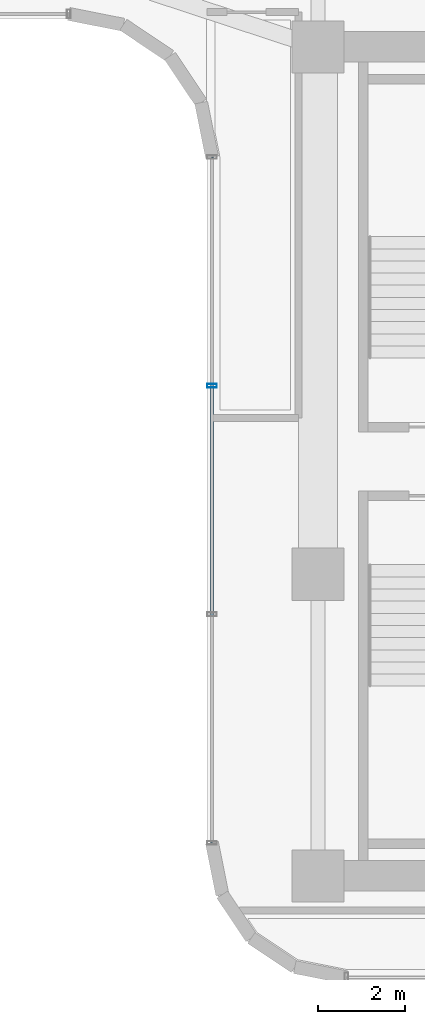
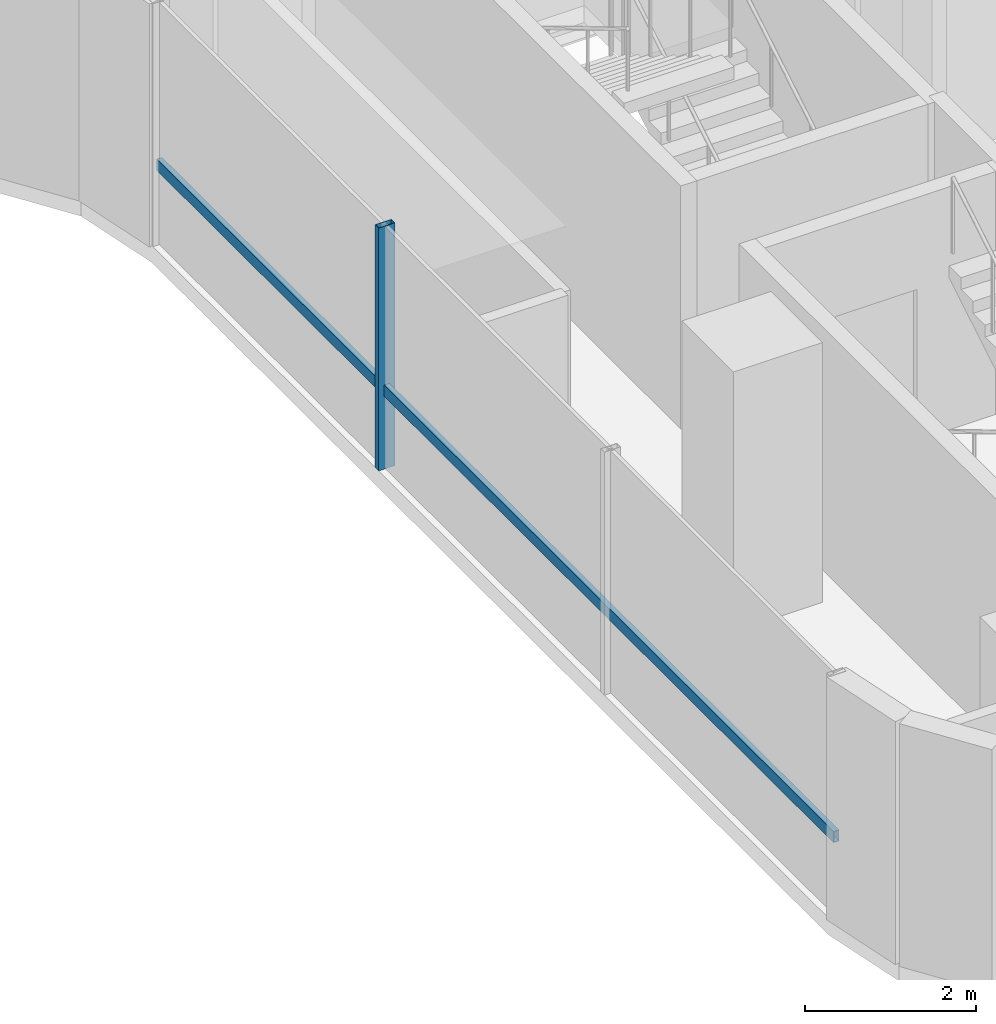
# One storey, part 13 of 36: 2 members, 1 element without a shape of its own.
"""IFC4 building model written with IfcOpenShell, lengths in metres."""

from ifc_helpers import new_model, si_unit, direction, frame, origin, origin_2d, place, context, subcontext, project, spatial, hollow_rectangle, extrude, source, transform, mapped, material, material_profile, profile_set, type_object, element, aggregate, save


model = new_model("IFC4")

# Units and contexts
model_context = context("Model", 3, precision=1e-05, world=origin(), true_north=direction((0.0, 1.0)))
body_context = subcontext(model_context, "Body", "Model", "MODEL_VIEW")
ifc_project = project(units=[si_unit("LENGTHUNIT", "METRE"), si_unit("AREAUNIT", "SQUARE_METRE"), si_unit("VOLUMEUNIT", "CUBIC_METRE"), si_unit("PLANEANGLEUNIT", "RADIAN"), si_unit("MASSUNIT", "GRAM", prefix="KILO")], contexts=[model_context])

# Site, building, storey
site_placement = place(None, origin())
site = spatial("IfcSite", under=ifc_project, at=site_placement, CompositionType="ELEMENT")
building_placement = place(site_placement, origin())
building = spatial("IfcBuilding", under=site, at=building_placement, Name="Valdorenza Pilgrim Sanctuary Tower", CompositionType="ELEMENT")
storey_placement = place(building_placement, frame((0.0, 0.0, 109.39990234375)))
storey = spatial("IfcBuildingStorey", under=building, at=storey_placement, Name="L27", CompositionType="ELEMENT", Elevation=109.39990234375)

# Curtain wall, members
ifc_material_1 = material(Name="Curtain-wall IGU glazing", Category="glass")
curtain_wall_type = type_object("IfcCurtainWallType", Name="CW-SYS-03", PredefinedType="NOTDEFINED", material=ifc_material_1)
curtain_wall_placement = place(storey_placement, origin())
curtain_wall = element("IfcCurtainWall", 1, at=curtain_wall_placement, inside=storey, type_object=curtain_wall_type, Name="L27 Curtain Wall CW-L27-1-31", PredefinedType="NOTDEFINED")
ifc_material_2 = material(Name="Anodised aluminium AW-6060", Category="aluminium")
ifc_material_profile_1 = material_profile(ifc_material_2, hollow_rectangle(XDim=0.0849609375, YDim=0.219970703125, WallThickness=0.0048828125, at=origin_2d()), Name="ALU-M 220x85x5")
ifc_profile_set_1 = profile_set([ifc_material_profile_1], Name="Anodised aluminium AW-6060")
member_type_1 = type_object("IfcMemberType", Name="CW-MUL-03", PredefinedType="MULLION", material=ifc_profile_set_1)
shared_shape_1 = source(origin(), body_context, "Body", "SweptSolid", [
    extrude(hollow_rectangle(XDim=0.0849609375, YDim=0.219970703125, WallThickness=0.0048828125, at=origin_2d()), origin(), (0.0, 0.0, 1.0), 3.460205078125),
])
member_1_placement = place(storey_placement, frame((13.409912109375, 1.744140625, 0.0), z_axis=(0.0, 0.0, 1.0), x_axis=(0.0, 1.0, 0.0)))
member_1 = element("IfcMember", 2, at=member_1_placement, type_object=member_type_1, Name="CW-L27-1-31 Mullion 3", PredefinedType="MULLION", context=body_context, shape_type="MappedRepresentation", body=[
    mapped(shared_shape_1, transform((0.0, 0.0, 0.0), x_axis=(1.0, 0.0, 0.0), y_axis=(0.0, 1.0, 0.0), z_axis=(0.0, 0.0, 1.0), scale=1.0)),
])
ifc_material_profile_2 = material_profile(ifc_material_2, hollow_rectangle(XDim=0.074951171875, YDim=0.159912109375, WallThickness=0.00390625, at=origin_2d()), Name="ALU-T 160x75x4")
ifc_profile_set_2 = profile_set([ifc_material_profile_2], Name="Anodised aluminium AW-6060")
member_type_2 = type_object("IfcMemberType", Name="CW-TRN-03", PredefinedType="USERDEFINED", material=ifc_profile_set_2)
shared_shape_2 = source(origin(), body_context, "Body", "SweptSolid", [
    extrude(hollow_rectangle(XDim=0.074951171875, YDim=0.159912109375, WallThickness=0.00390625, at=origin_2d()), origin(), (0.0, 0.0, 1.0), 15.800048828125),
])
member_2_placement = place(storey_placement, frame((13.409912109375, -8.789306640625, 1.1201171875), z_axis=(0.0, 1.0, 0.0), x_axis=(-1.0, 0.0, 0.0)))
member_2 = element("IfcMember", 3, at=member_2_placement, type_object=member_type_2, Name="CW-L27-1-31 Transom 1", ObjectType="TRANSOM", PredefinedType="USERDEFINED", context=body_context, shape_type="MappedRepresentation", body=[
    mapped(shared_shape_2, transform((0.0, 0.0, 0.0), x_axis=(1.0, 0.0, 0.0), y_axis=(0.0, 1.0, 0.0), z_axis=(0.0, 0.0, 1.0), scale=1.0)),
])
aggregate(curtain_wall, [member_1, member_2])

save(model, "model.ifc")
